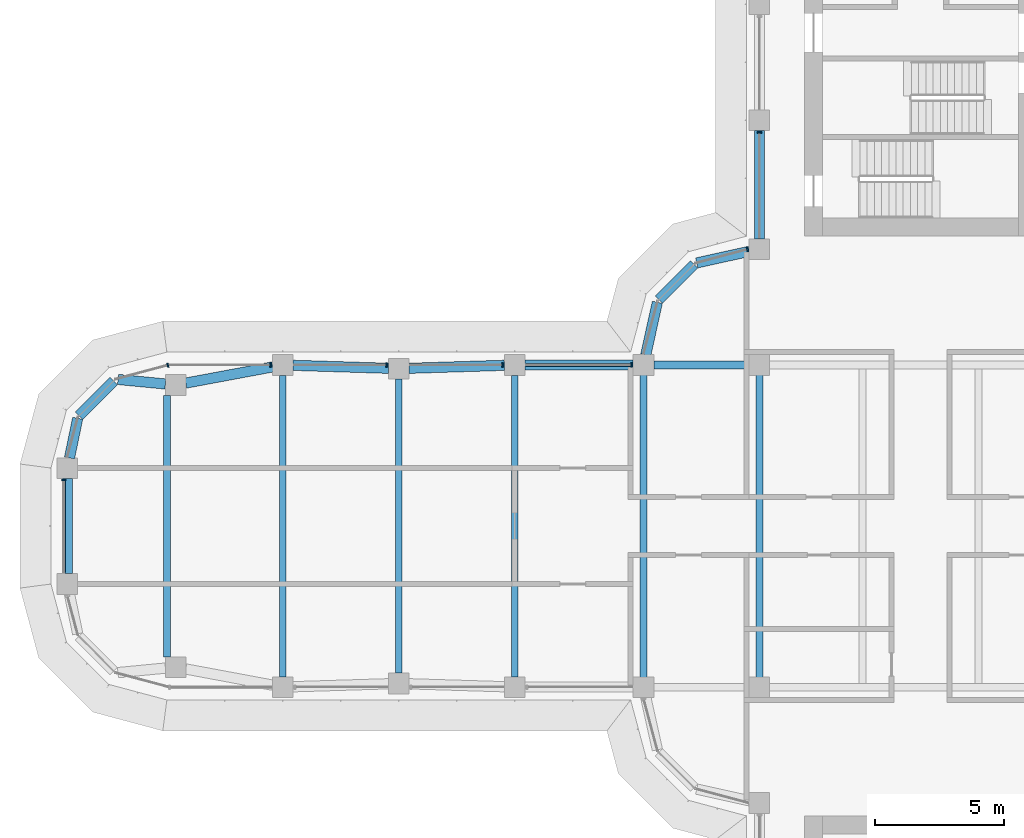
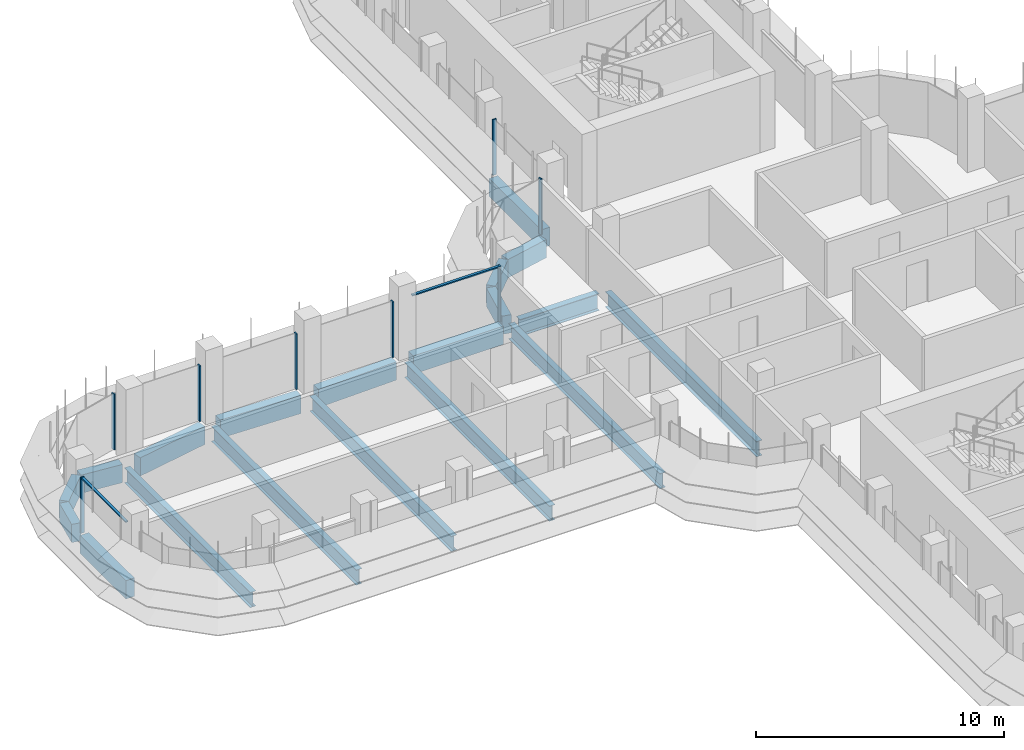
# One storey, part 6 of 19: 19 beams, 10 members, 5 elements without a shape of their own.
"""IFC4 building model written with IfcOpenShell, lengths in metres."""

from ifc_helpers import new_model, si_unit, direction, frame, origin, origin_2d, place, context, subcontext, project, spatial, polyline, rectangle, i_section, outline, extrude, source, transform, mapped, material, material_profile, profile_set, type_object, element, aggregate, save


model = new_model("IFC4")

# Units and contexts
model_context = context("Model", 3, precision=1e-05, world=origin(), true_north=direction((0.0, 1.0)))
body_context = subcontext(model_context, "Body", "Model", "MODEL_VIEW")
ifc_project = project(units=[si_unit("LENGTHUNIT", "METRE"), si_unit("AREAUNIT", "SQUARE_METRE"), si_unit("VOLUMEUNIT", "CUBIC_METRE"), si_unit("PLANEANGLEUNIT", "RADIAN"), si_unit("MASSUNIT", "GRAM", prefix="KILO")], contexts=[model_context])

# Site, building, storey
site_placement = place(None, origin())
site = spatial("IfcSite", under=ifc_project, at=site_placement, CompositionType="ELEMENT")
building_placement = place(site_placement, origin())
building = spatial("IfcBuilding", under=site, at=building_placement, Name="Zarbagh Exchange Tower", CompositionType="ELEMENT")
storey_placement = place(building_placement, frame((0.0, 0.0, 171.39990234375)))
storey = spatial("IfcBuildingStorey", under=building, at=storey_placement, Name="L41", CompositionType="ELEMENT", Elevation=171.39990234375)

# Beams
ifc_material_1 = material(Name="Steel ASTM A992 Gr 50", Category="steel")
ifc_material_profile_1 = material_profile(ifc_material_1, i_section(OverallWidth=0.26416015625, OverallDepth=0.749267578125, WebThickness=0.011962890625, FlangeThickness=0.015380859375, at=origin_2d()), Name="W30X90")
ifc_profile_set_1 = profile_set([ifc_material_profile_1], Name="Steel ASTM A992 Gr 50")
beam_type_1 = type_object("IfcBeamType", Name="Floor beam W30X90", PredefinedType="BEAM", material=ifc_profile_set_1)
for number, where, z_axis, x_axis, name in (
    (1, (-10.75, -6.10400390625, -0.5244140625), (0.0, 1.0, 0.0), (-1.0, 0.0, 0.0), "Steel floor beam"),
    (2, (-6.25, -6.10400390625, -0.5244140625), (0.0, 1.0, 0.0), (-1.0, 0.0, 0.0), "Steel floor beam"),
):
    element("IfcBeam", number, at=place(storey_placement, frame(where, z_axis=z_axis, x_axis=x_axis)), inside=storey, type_object=beam_type_1, Name=name, PredefinedType="BEAM", context=body_context, shape_type="SweptSolid", body=[
        extrude(i_section(OverallWidth=0.26416015625, OverallDepth=0.749267578125, WebThickness=0.011962890625, FlangeThickness=0.015380859375, at=origin_2d()), origin(), (0.0, 0.0, 1.0), 12.2080078125),
    ])
beam_1_placement = place(storey_placement, frame((-15.75, -5.85009765625, -0.5244140625), z_axis=(0.0, 1.0, 0.0), x_axis=(-1.0, 0.0, 0.0)))
element("IfcBeam", 3, at=beam_1_placement, inside=storey, type_object=beam_type_1, Name="Steel floor beam", PredefinedType="BEAM", context=body_context, shape_type="SweptSolid", body=[
    extrude(i_section(OverallWidth=0.26416015625, OverallDepth=0.749267578125, WebThickness=0.011962890625, FlangeThickness=0.015380859375, at=origin_2d()), origin(), (0.0, 0.0, 1.0), 11.7001953125),
])
beam_2_placement = place(storey_placement, frame((-20.25, -5.7099609375, -0.5244140625), z_axis=(0.0, 1.0, 0.0), x_axis=(-1.0, 0.0, 0.0)))
element("IfcBeam", 4, at=beam_2_placement, inside=storey, type_object=beam_type_1, Name="Steel floor beam", PredefinedType="BEAM", context=body_context, shape_type="SweptSolid", body=[
    extrude(i_section(OverallWidth=0.26416015625, OverallDepth=0.749267578125, WebThickness=0.011962890625, FlangeThickness=0.015380859375, at=origin_2d()), origin(), (0.0, 0.0, 1.0), 11.419921875),
])
beam_3_placement = place(storey_placement, frame((-24.75, -5.85009765625, -0.5244140625), z_axis=(0.0, 1.0, 0.0), x_axis=(-1.0, 0.0, 0.0)))
element("IfcBeam", 5, at=beam_3_placement, inside=storey, type_object=beam_type_1, Name="Steel floor beam", PredefinedType="BEAM", context=body_context, shape_type="SweptSolid", body=[
    extrude(i_section(OverallWidth=0.26416015625, OverallDepth=0.749267578125, WebThickness=0.011962890625, FlangeThickness=0.015380859375, at=origin_2d()), origin(), (0.0, 0.0, 1.0), 11.7001953125),
])
beam_4_placement = place(storey_placement, frame((-29.25, -5.074951171875, -0.5244140625), z_axis=(0.0, 1.0, 0.0), x_axis=(-1.0, 0.0, 0.0)))
element("IfcBeam", 6, at=beam_4_placement, inside=storey, type_object=beam_type_1, Name="Steel floor beam", PredefinedType="BEAM", context=body_context, shape_type="SweptSolid", body=[
    extrude(i_section(OverallWidth=0.26416015625, OverallDepth=0.749267578125, WebThickness=0.011962890625, FlangeThickness=0.015380859375, at=origin_2d()), origin(), (0.0, 0.0, 1.0), 10.14990234375),
])
ifc_material_profile_2 = material_profile(ifc_material_1, i_section(OverallWidth=0.2919921875, OverallDepth=0.835693359375, WebThickness=0.013916015625, FlangeThickness=0.018798828125, at=origin_2d()), Name="W33X118")
ifc_profile_set_2 = profile_set([ifc_material_profile_2], Name="Steel ASTM A992 Gr 50")
beam_type_2 = type_object("IfcBeamType", Name="Floor girder W33X118", PredefinedType="BEAM", material=ifc_profile_set_2)
beam_5_placement = place(storey_placement, frame((-10.35009765625, 6.25, -0.567626953125), z_axis=(1.0, 0.0, 0.0), x_axis=(0.0, 1.0, 0.0)))
element("IfcBeam", 7, at=beam_5_placement, inside=storey, type_object=beam_type_2, Name="Steel girder", PredefinedType="BEAM", context=body_context, shape_type="SweptSolid", body=[
    extrude(i_section(OverallWidth=0.2919921875, OverallDepth=0.835693359375, WebThickness=0.013916015625, FlangeThickness=0.018798828125, at=origin_2d()), origin(), (0.0, 0.0, 1.0), 3.7001953125),
])
ifc_material_2 = material(Name="Concrete C50/60", Category="concrete")
ifc_material_profile_3 = material_profile(ifc_material_2, rectangle(XDim=0.39990234375, YDim=0.89990234375, at=origin_2d()), Name="RC spandrel beam 400 x 900 C50/60")
ifc_profile_set_3 = profile_set([ifc_material_profile_3], Name="Concrete C50/60")
beam_type_3 = type_object("IfcBeamType", Name="RC spandrel beam 400 x 900 C50/60", PredefinedType="SPANDREL", material=ifc_profile_set_3)
beam_6_placement = place(storey_placement, frame((-33.110107421875, -1.85009765625, -0.599853515625), z_axis=(0.0, 1.0, 0.0), x_axis=(-1.0, 0.0, 0.0)))
element("IfcBeam", 8, at=beam_6_placement, inside=storey, type_object=beam_type_3, Name="RC spandrel beam", PredefinedType="SPANDREL", context=body_context, shape_type="SweptSolid", body=[
    extrude(rectangle(XDim=0.39990234375, YDim=0.89990234375, at=origin_2d()), origin(), (0.0, 0.0, 1.0), 3.7001953125),
])
beam_7_placement = place(storey_placement, frame((-33.029052734375, 2.6416015625, -0.599853515625), z_axis=(0.20216948151, 0.979350550491, 0.0), x_axis=(-0.979350550491, 0.20216948151, 0.0)))
element("IfcBeam", 9, at=beam_7_placement, inside=storey, type_object=beam_type_3, Name="RC spandrel beam", PredefinedType="SPANDREL", context=body_context, shape_type="SweptSolid", body=[
    extrude(rectangle(XDim=0.39990234375, YDim=0.89990234375, at=origin_2d()), origin(), (0.0, 0.0, 1.0), 1.573486328125),
])
beam_8_placement = place(storey_placement, frame((-32.656494140625, 4.283447265625, -0.599853515625), z_axis=(0.707106781187, 0.707106781187, 0.0), x_axis=(-0.707106781187, 0.707106781187, 0.0)))
element("IfcBeam", 10, at=beam_8_placement, inside=storey, type_object=beam_type_3, Name="RC spandrel beam", PredefinedType="SPANDREL", context=body_context, shape_type="SweptSolid", body=[
    extrude(rectangle(XDim=0.39990234375, YDim=0.89990234375, at=origin_2d()), origin(), (0.0, 0.0, 1.0), 1.9072265625),
])
beam_9_placement = place(storey_placement, frame((-31.147216796875, 5.689697265625, -0.599853515625), z_axis=(0.995435353267, -0.095438239015, 0.0), x_axis=(0.095438239015, 0.995435353267, 0.0)))
element("IfcBeam", 11, at=beam_9_placement, inside=storey, type_object=beam_type_3, Name="RC spandrel beam", PredefinedType="SPANDREL", context=body_context, shape_type="SweptSolid", body=[
    extrude(rectangle(XDim=0.39990234375, YDim=0.89990234375, at=origin_2d()), origin(), (0.0, 0.0, 1.0), 1.849609375),
])
beam_10_placement = place(storey_placement, frame((-28.514892578125, 5.54833984375, -0.599853515625), z_axis=(0.983069862768, 0.183231124313, 0.0), x_axis=(-0.183231124313, 0.983069862768, 0.0)))
element("IfcBeam", 12, at=beam_10_placement, inside=storey, type_object=beam_type_3, Name="RC spandrel beam", PredefinedType="SPANDREL", context=body_context, shape_type="SweptSolid", body=[
    extrude(rectangle(XDim=0.39990234375, YDim=0.89990234375, at=origin_2d()), origin(), (0.0, 0.0, 1.0), 3.4296875),
])
for number, where, z_axis, x_axis, name in (
    (13, (-24.35009765625, 6.237548828125, -0.599853515625), (0.999515416033, -0.031127690444, 0.0), (0.031127690444, 0.999515416033, 0.0), "RC spandrel beam"),
    (14, (-19.85009765625, 6.122314453125, -0.599853515625), (0.999515416033, 0.031127690444, 0.0), (-0.031127690444, 0.999515416033, 0.0), "RC spandrel beam"),
):
    element("IfcBeam", number, at=place(storey_placement, frame(where, z_axis=z_axis, x_axis=x_axis)), inside=storey, type_object=beam_type_3, Name=name, PredefinedType="SPANDREL", context=body_context, shape_type="SweptSolid", body=[
        extrude(rectangle(XDim=0.39990234375, YDim=0.89990234375, at=origin_2d()), origin(), (0.0, 0.0, 1.0), 3.701904296875),
    ])
beam_11_placement = place(storey_placement, frame((-15.35009765625, 6.25, -0.599853515625), z_axis=(1.0, 0.0, 0.0), x_axis=(0.0, 1.0, 0.0)))
element("IfcBeam", 15, at=beam_11_placement, inside=storey, type_object=beam_type_3, Name="RC spandrel beam", PredefinedType="SPANDREL", context=body_context, shape_type="SweptSolid", body=[
    extrude(rectangle(XDim=0.39990234375, YDim=0.89990234375, at=origin_2d()), origin(), (0.0, 0.0, 1.0), 4.2001953125),
])
beam_12_placement = place(storey_placement, frame((-10.66357421875, 6.640625, -0.599853515625), z_axis=(0.216041061437, 0.976384278741, 0.0), x_axis=(-0.976384278741, 0.216041061437, 0.0)))
element("IfcBeam", 16, at=beam_12_placement, inside=storey, type_object=beam_type_3, Name="RC spandrel beam", PredefinedType="SPANDREL", context=body_context, shape_type="SweptSolid", body=[
    extrude(rectangle(XDim=0.39990234375, YDim=0.89990234375, at=origin_2d()), origin(), (0.0, 0.0, 1.0), 2.0927734375),
])
beam_13_placement = place(storey_placement, frame((-10.15771484375, 8.782470703125, -0.599853515625), z_axis=(0.707106781187, 0.707106781187, 0.0), x_axis=(-0.707106781187, 0.707106781187, 0.0)))
element("IfcBeam", 17, at=beam_13_placement, inside=storey, type_object=beam_type_3, Name="RC spandrel beam", PredefinedType="SPANDREL", context=body_context, shape_type="SweptSolid", body=[
    extrude(rectangle(XDim=0.39990234375, YDim=0.89990234375, at=origin_2d()), origin(), (0.0, 0.0, 1.0), 1.94482421875),
])
beam_14_placement = place(storey_placement, frame((-8.68408203125, 10.21142578125, -0.599853515625), z_axis=(0.976384278741, 0.216041061437, 0.0), x_axis=(-0.216041061437, 0.976384278741, 0.0)))
element("IfcBeam", 18, at=beam_14_placement, inside=storey, type_object=beam_type_3, Name="RC spandrel beam", PredefinedType="SPANDREL", context=body_context, shape_type="SweptSolid", body=[
    extrude(rectangle(XDim=0.39990234375, YDim=0.89990234375, at=origin_2d()), origin(), (0.0, 0.0, 1.0), 2.0927734375),
])
beam_15_placement = place(storey_placement, frame((-6.25, 11.14990234375, -0.599853515625), z_axis=(0.0, 1.0, 0.0), x_axis=(-1.0, 0.0, 0.0)))
element("IfcBeam", 19, at=beam_15_placement, inside=storey, type_object=beam_type_3, Name="RC spandrel beam", PredefinedType="SPANDREL", context=body_context, shape_type="SweptSolid", body=[
    extrude(rectangle(XDim=0.39990234375, YDim=0.89990234375, at=origin_2d()), origin(), (0.0, 0.0, 1.0), 4.2001953125),
])

# Curtain wall, member
ifc_material_3 = material(Name="Anodised aluminium frame and glazing", Category="aluminium")
curtain_wall_type = type_object("IfcCurtainWallType", Name="CWB Ribbon glazing, upper zones", PredefinedType="NOTDEFINED", material=ifc_material_3)
curtain_wall_1_placement = place(storey_placement, origin())
curtain_wall_1 = element("IfcCurtainWall", 20, at=curtain_wall_1_placement, inside=storey, type_object=curtain_wall_type, Name="CWB28 curtain wall", PredefinedType="NOTDEFINED")
ifc_material_4 = material(Name="Anodised aluminium frame", Category="aluminium")
member_type_1 = type_object("IfcMemberType", Name="MUB Mullion, anodised aluminium frame", PredefinedType="MULLION", material=ifc_material_4)
shared_shape_1 = source(origin(), body_context, "Body", "SweptSolid", [
    extrude(outline(polyline([(0.0, -0.080078125), (0.06005859375, -0.080078125), (0.06005859375, 0.080078125), (0.0, 0.080078125), (0.0, -0.080078125)])), origin(), (0.0, 0.0, 1.0), 2.75),
])
placement = place(storey_placement, origin())
member_1 = element("IfcMember", 21, at=placement, type_object=member_type_1, Name="CWB28 mullion 4.1", PredefinedType="MULLION", context=body_context, shape_type="MappedRepresentation", body=[
    mapped(shared_shape_1, transform((-6.25, 15.31005859375, 0.0), x_axis=(0.0, -1.0, 0.0), y_axis=(1.0, 0.0, 0.0), z_axis=(0.0, 0.0, 1.0))),
])
aggregate(curtain_wall_1, [member_1])

curtain_wall_2_placement = place(storey_placement, origin())
curtain_wall_2 = element("IfcCurtainWall", 22, at=curtain_wall_2_placement, inside=storey, type_object=curtain_wall_type, Name="CWB29 curtain wall", PredefinedType="NOTDEFINED")
member_2 = element("IfcMember", 23, at=placement, type_object=member_type_1, Name="CWB29 mullion 1.1", PredefinedType="MULLION", context=body_context, shape_type="MappedRepresentation", body=[
    mapped(shared_shape_1, transform((-6.68994140625, 10.74853515625, 0.0), x_axis=(-0.965924289636, -0.258824779902, 0.0), y_axis=(0.258824779902, -0.965924289636, 0.0), z_axis=(0.0, 0.0, 1.0))),
])
aggregate(curtain_wall_2, [member_2])

# Curtain wall, members
curtain_wall_3_placement = place(storey_placement, origin())
curtain_wall_3 = element("IfcCurtainWall", 24, at=curtain_wall_3_placement, inside=storey, type_object=curtain_wall_type, Name="CWB32 curtain wall", PredefinedType="NOTDEFINED")
member_3 = element("IfcMember", 25, at=placement, type_object=member_type_1, Name="CWB32 mullion 1.1", PredefinedType="MULLION", context=body_context, shape_type="MappedRepresentation", body=[
    mapped(shared_shape_1, transform((-11.18994140625, 6.25, 0.0), x_axis=(-1.0, 0.0, 0.0), y_axis=(0.0, -1.0, 0.0), z_axis=(0.0, 0.0, 1.0))),
])
member_4 = element("IfcMember", 26, at=placement, type_object=member_type_1, Name="CWB32 mullion 2.1", PredefinedType="MULLION", context=body_context, shape_type="MappedRepresentation", body=[
    mapped(shared_shape_1, transform((-16.18994140625, 6.25, 0.0), x_axis=(-1.0, 0.0, 0.0), y_axis=(0.0, -1.0, 0.0), z_axis=(0.0, 0.0, 1.0))),
])
member_5 = element("IfcMember", 27, at=placement, type_object=member_type_1, Name="CWB32 mullion 3.1", PredefinedType="MULLION", context=body_context, shape_type="MappedRepresentation", body=[
    mapped(shared_shape_1, transform((-20.68994140625, 6.25, 0.0), x_axis=(-1.0, 0.0, 0.0), y_axis=(0.0, -1.0, 0.0), z_axis=(0.0, 0.0, 1.0))),
])
member_6 = element("IfcMember", 28, at=placement, type_object=member_type_1, Name="CWB32 mullion 4.1", PredefinedType="MULLION", context=body_context, shape_type="MappedRepresentation", body=[
    mapped(shared_shape_1, transform((-25.18994140625, 6.25, 0.0), x_axis=(-1.0, 0.0, 0.0), y_axis=(0.0, -1.0, 0.0), z_axis=(0.0, 0.0, 1.0))),
])

# Curtain wall, member
curtain_wall_4_placement = place(storey_placement, origin())
curtain_wall_4 = element("IfcCurtainWall", 29, at=curtain_wall_4_placement, inside=storey, type_object=curtain_wall_type, Name="CWB33 curtain wall", PredefinedType="NOTDEFINED")
member_7 = element("IfcMember", 30, at=placement, type_object=member_type_1, Name="CWB33 mullion 1.1", PredefinedType="MULLION", context=body_context, shape_type="MappedRepresentation", body=[
    mapped(shared_shape_1, transform((-29.18408203125, 6.25, 0.0), x_axis=(-0.965924289636, -0.258824779902, 0.0), y_axis=(0.258824779902, -0.965924289636, 0.0), z_axis=(0.0, 0.0, 1.0))),
])
aggregate(curtain_wall_4, [member_7])

curtain_wall_5_placement = place(storey_placement, origin())
curtain_wall_5 = element("IfcCurtainWall", 31, at=curtain_wall_5_placement, inside=storey, type_object=curtain_wall_type, Name="CWB36 curtain wall", PredefinedType="NOTDEFINED")
member_8 = element("IfcMember", 32, at=placement, type_object=member_type_1, Name="CWB36 mullion 1.1", PredefinedType="MULLION", context=body_context, shape_type="MappedRepresentation", body=[
    mapped(shared_shape_1, transform((-33.25, 1.81005859375, 0.0), x_axis=(0.0, -1.0, 0.0), y_axis=(1.0, 0.0, 0.0), z_axis=(0.0, 0.0, 1.0))),
])

# Member
member_type_2 = type_object("IfcMemberType", Name="TRB Transom, anodised aluminium frame", PredefinedType="USERDEFINED", material=ifc_material_4)
shared_shape_2 = source(origin(), body_context, "Body", "SweptSolid", [
    extrude(outline(polyline([(-0.06005859375, -0.06005859375), (0.0, -0.06005859375), (0.0, 0.06005859375), (-0.06005859375, 0.06005859375), (-0.06005859375, -0.06005859375)])), origin(), (0.0, 0.0, 1.0), 4.06005859375),
])
member_9 = element("IfcMember", 33, at=placement, type_object=member_type_2, Name="CWB32 transom 1.1", ObjectType="TRANSOM", PredefinedType="USERDEFINED", context=body_context, shape_type="MappedRepresentation", body=[
    mapped(shared_shape_2, transform((-11.25, 6.25, 2.75), x_axis=(0.0, 0.0, 1.0), y_axis=(0.0, 1.0, 0.0), z_axis=(-1.0, 0.0, 0.0))),
])

aggregate(curtain_wall_3, [member_3, member_9, member_4, member_5, member_6])

shared_shape_3 = source(origin(), body_context, "Body", "SweptSolid", [
    extrude(outline(polyline([(-0.06005859375, -0.06005859375), (0.0, -0.06005859375), (0.0, 0.06005859375), (-0.06005859375, 0.06005859375), (-0.06005859375, -0.06005859375)])), origin(), (0.0, 0.0, 1.0), 3.56005859375),
])
member_10 = element("IfcMember", 34, at=placement, type_object=member_type_2, Name="CWB36 transom 1.1", ObjectType="TRANSOM", PredefinedType="USERDEFINED", context=body_context, shape_type="MappedRepresentation", body=[
    mapped(shared_shape_3, transform((-33.25, 1.75, 2.75), x_axis=(0.0, 0.0, 1.0), y_axis=(-1.0, 0.0, 0.0), z_axis=(0.0, -1.0, 0.0))),
])

aggregate(curtain_wall_5, [member_8, member_10])

save(model, "model.ifc")
